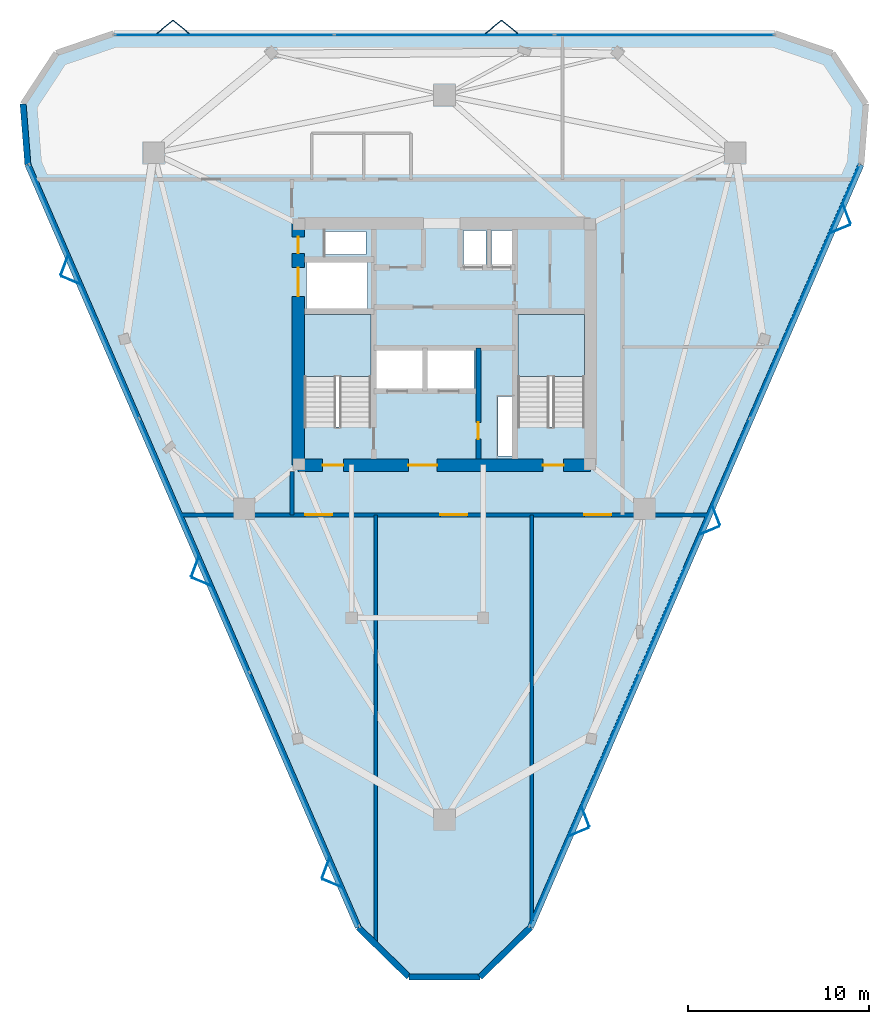
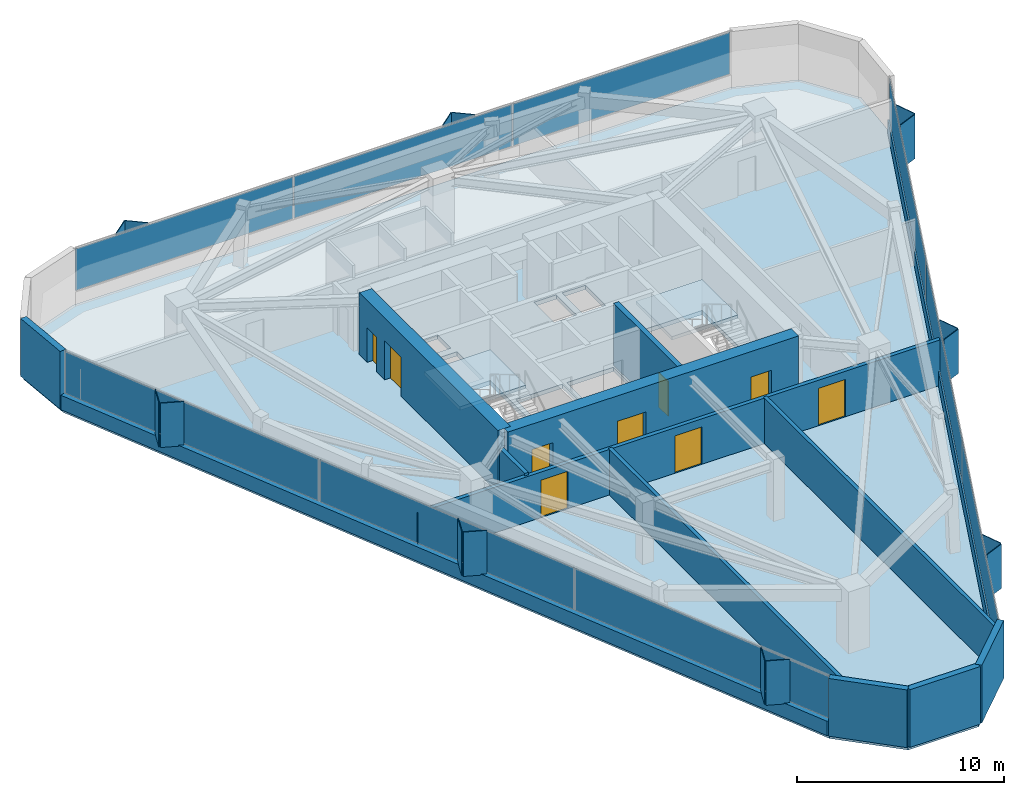
# One storey, part 8 of 12: 25 plates, 13 walls, 9 doors, 3 slabs, 9 openings, 5 elements without a shape of their own.
"""IFC4 building model written with IfcOpenShell, lengths in metres."""

from ifc_helpers import new_model, si_unit, direction, frame, frame_2d, origin, origin_2d, place, context, subcontext, project, spatial, polyline, rectangle, outline, extrude, material, layer, layer_set, type_object, element, fill, aggregate, save


model = new_model("IFC4")

# Units and contexts
model_context = context("Model", 3, precision=1e-05, world=origin(), true_north=direction((0.0, 1.0)))
body_context = subcontext(model_context, "Body", "Model", "MODEL_VIEW")
ifc_project = project(units=[si_unit("LENGTHUNIT", "METRE"), si_unit("AREAUNIT", "SQUARE_METRE"), si_unit("VOLUMEUNIT", "CUBIC_METRE"), si_unit("PLANEANGLEUNIT", "RADIAN"), si_unit("MASSUNIT", "GRAM", prefix="KILO")], contexts=[model_context])

# Site, building, storey
site_placement = place(None, origin())
site = spatial("IfcSite", under=ifc_project, at=site_placement, CompositionType="ELEMENT")
building_placement = place(site_placement, origin())
building = spatial("IfcBuilding", under=site, at=building_placement, Name="Talyreon Biosciences Tower", CompositionType="ELEMENT")
storey_placement = place(building_placement, frame((0.0, 0.0, 246.199951171875)))
storey = spatial("IfcBuildingStorey", under=building, at=storey_placement, Name="L65", CompositionType="ELEMENT", Elevation=246.199951171875)

# Curtain wall, plates
ifc_material_1 = material(Name="Thermally broken aluminium and low-E glazing", Category="aluminium")
ifc_layer_1 = layer(ifc_material_1, 0.175048828125)
ifc_layer_set_1 = layer_set([ifc_layer_1], Name="Thermally broken aluminium and low-E glazing")
curtain_wall_type = type_object("IfcCurtainWallType", Name="CurtainWall_Zone5CompLab", PredefinedType="NOTDEFINED", material=ifc_layer_set_1)
curtain_wall_1_placement = place(storey_placement, origin())
curtain_wall_1 = element("IfcCurtainWall", 1, at=curtain_wall_1_placement, inside=storey, type_object=curtain_wall_type, Name="L65 Unitised Curtain Wall FCW-L65-00", PredefinedType="NOTDEFINED")
ifc_material_2 = material(Name="Triple-silver low-E insulated glazing", Category="glass")
ifc_layer_2 = layer(ifc_material_2, 0.031982421875)
ifc_layer_set_2 = layer_set([ifc_layer_2], Name="Triple-silver low-E insulated glazing")
plate_type_1 = type_object("IfcPlateType", Name="CWGlazingPanel_32", PredefinedType="CURTAIN_PANEL", material=ifc_layer_set_2)
plate_1_placement = place(storey_placement, frame((58.244873046875, 42.7900390625, 0.875), z_axis=(0.0, 0.0, 1.0), x_axis=(-0.397537465198, 0.91758594353, 0.0)))
plate_1 = element("IfcPlate", 2, at=plate_1_placement, type_object=plate_type_1, Name="CW6 panel 1.1", PredefinedType="CURTAIN_PANEL", context=body_context, shape_type="SweptSolid", body=[
    extrude(rectangle(XDim=15.250244140625, YDim=0.031982421875, at=origin_2d()), origin(), (0.0, 0.0, 1.0), 2.4599609375),
])
plate_2_placement = place(storey_placement, frame((52.150146484375, 56.858154296875, 0.875), z_axis=(0.0, 0.0, 1.0), x_axis=(-0.397537465198, 0.91758594353, 0.0)))
plate_2 = element("IfcPlate", 3, at=plate_2_placement, type_object=plate_type_1, Name="CW6 panel 2.1", PredefinedType="CURTAIN_PANEL", context=body_context, shape_type="SweptSolid", body=[
    extrude(rectangle(XDim=15.28271484375, YDim=0.031982421875, at=origin_2d()), origin(), (0.0, 0.0, 1.0), 2.4599609375),
])
plate_3_placement = place(storey_placement, frame((46.05517578125, 70.926025390625, 0.875), z_axis=(0.0, 0.0, 1.0), x_axis=(-0.397537465198, 0.91758594353, 0.0)))
plate_3 = element("IfcPlate", 4, at=plate_3_placement, type_object=plate_type_1, Name="CW6 panel 3.1", PredefinedType="CURTAIN_PANEL", context=body_context, shape_type="SweptSolid", body=[
    extrude(rectangle(XDim=15.250244140625, YDim=0.031982421875, at=origin_2d()), origin(), (0.0, 0.0, 1.0), 2.4599609375),
])
aggregate(curtain_wall_1, [plate_1, plate_2, plate_3])

curtain_wall_2_placement = place(storey_placement, origin())
curtain_wall_2 = element("IfcCurtainWall", 5, at=curtain_wall_2_placement, inside=storey, type_object=curtain_wall_type, Name="L65 Unitised Curtain Wall FCW-L65-04", PredefinedType="NOTDEFINED")
plate_4_placement = place(storey_placement, frame((53.813720703125, 85.1376953125, 0.875), z_axis=(0.0, 0.0, 1.0), x_axis=(1.0, 0.0, 0.0)))
plate_4 = element("IfcPlate", 6, at=plate_4_placement, type_object=plate_type_1, Name="CW6 panel 1.1", PredefinedType="CURTAIN_PANEL", context=body_context, shape_type="SweptSolid", body=[
    extrude(rectangle(XDim=12.10498046875, YDim=0.031982421875, at=origin_2d()), origin(), (0.0, 0.0, 1.0), 2.4599609375),
])
plate_5_placement = place(storey_placement, frame((66.0, 85.1376953125, 0.875), z_axis=(0.0, 0.0, 1.0), x_axis=(1.0, 0.0, 0.0)))
plate_5 = element("IfcPlate", 7, at=plate_5_placement, type_object=plate_type_1, Name="CW6 panel 2.1", PredefinedType="CURTAIN_PANEL", context=body_context, shape_type="SweptSolid", body=[
    extrude(rectangle(XDim=12.137451171875, YDim=0.031982421875, at=origin_2d()), origin(), (0.0, 0.0, 1.0), 2.4599609375),
])
plate_6_placement = place(storey_placement, frame((78.186279296875, 85.1376953125, 0.875), z_axis=(0.0, 0.0, 1.0), x_axis=(1.0, 0.0, 0.0)))
plate_6 = element("IfcPlate", 8, at=plate_6_placement, type_object=plate_type_1, Name="CW6 panel 3.1", PredefinedType="CURTAIN_PANEL", context=body_context, shape_type="SweptSolid", body=[
    extrude(rectangle(XDim=12.10498046875, YDim=0.031982421875, at=origin_2d()), origin(), (0.0, 0.0, 1.0), 2.4599609375),
])
aggregate(curtain_wall_2, [plate_4, plate_5, plate_6])

curtain_wall_3_placement = place(storey_placement, origin())
curtain_wall_3 = element("IfcCurtainWall", 9, at=curtain_wall_3_placement, inside=storey, type_object=curtain_wall_type, Name="L65 Unitised Curtain Wall FCW-L65-08", PredefinedType="NOTDEFINED")
plate_7_placement = place(storey_placement, frame((85.94482421875, 70.926025390625, 0.875), z_axis=(0.0, 0.0, 1.0), x_axis=(-0.397537465198, -0.91758594353, 0.0)))
plate_7 = element("IfcPlate", 10, at=plate_7_placement, type_object=plate_type_1, Name="CW6 panel 1.1", PredefinedType="CURTAIN_PANEL", context=body_context, shape_type="SweptSolid", body=[
    extrude(rectangle(XDim=15.250244140625, YDim=0.031982421875, at=origin_2d()), origin(), (0.0, 0.0, 1.0), 2.4599609375),
])
plate_8_placement = place(storey_placement, frame((79.849853515625, 56.858154296875, 0.875), z_axis=(0.0, 0.0, 1.0), x_axis=(-0.397537465198, -0.91758594353, 0.0)))
plate_8 = element("IfcPlate", 11, at=plate_8_placement, type_object=plate_type_1, Name="CW6 panel 2.1", PredefinedType="CURTAIN_PANEL", context=body_context, shape_type="SweptSolid", body=[
    extrude(rectangle(XDim=15.28271484375, YDim=0.031982421875, at=origin_2d()), origin(), (0.0, 0.0, 1.0), 2.4599609375),
])
plate_9_placement = place(storey_placement, frame((73.755126953125, 42.7900390625, 0.875), z_axis=(0.0, 0.0, 1.0), x_axis=(-0.397537465198, -0.91758594353, 0.0)))
plate_9 = element("IfcPlate", 12, at=plate_9_placement, type_object=plate_type_1, Name="CW6 panel 3.1", PredefinedType="CURTAIN_PANEL", context=body_context, shape_type="SweptSolid", body=[
    extrude(rectangle(XDim=15.250244140625, YDim=0.031982421875, at=origin_2d()), origin(), (0.0, 0.0, 1.0), 2.4599609375),
])
aggregate(curtain_wall_3, [plate_7, plate_8, plate_9])

# Slab
ifc_material_3 = material(Name="Concrete C40/50", Category="concrete")
ifc_layer_3 = layer(ifc_material_3, 0.25)
ifc_layer_set_3 = layer_set([ifc_layer_3], Name="Concrete C40/50")
slab_type_1 = type_object("IfcSlabType", Name="DryLabFloorSlab_250", PredefinedType="FLOOR", material=ifc_layer_set_3)
slab_1_placement = place(storey_placement, frame((0.0, 0.0, -0.25)))
element("IfcSlab", 13, at=slab_1_placement, inside=storey, type_object=slab_type_1, Name="L65 Structural Floor Slab", PredefinedType="FLOOR", context=body_context, shape_type="SweptSolid", body=[
    extrude(outline(polyline([(61.228515625, 35.701904296875), (42.9248046875, 77.95068359375), (42.6591796875, 81.3095703125), (44.508544921875, 84.126220703125), (47.6962890625, 85.2177734375), (84.3037109375, 85.2177734375), (87.491455078125, 84.126220703125), (89.3408203125, 81.3095703125), (89.0751953125, 77.95068359375), (70.771484375, 35.701904296875), (67.964111328125, 32.954345703125), (64.035888671875, 32.954345703125), (61.228515625, 35.701904296875)]), holes=[polyline([(69.820068359375, 65.10009765625), (69.820068359375, 61.800048828125), (68.9599609375, 61.800048828125), (68.9599609375, 65.10009765625), (69.820068359375, 65.10009765625)]), polyline([(61.929931640625, 69.64990234375), (61.929931640625, 63.407958984375), (58.25, 63.407958984375), (58.25, 69.64990234375), (61.929931640625, 69.64990234375)]), polyline([(73.75, 69.64990234375), (73.75, 63.407958984375), (70.070068359375, 63.407958984375), (70.070068359375, 69.64990234375), (73.75, 69.64990234375)]), polyline([(64.800048828125, 67.64990234375), (64.800048828125, 65.550048828125), (62.199951171875, 65.550048828125), (62.199951171875, 67.64990234375), (64.800048828125, 67.64990234375)]), polyline([(67.64990234375, 67.64990234375), (67.64990234375, 65.550048828125), (65.050048828125, 65.550048828125), (65.050048828125, 67.64990234375), (67.64990234375, 67.64990234375)]), polyline([(61.75, 72.550048828125), (61.75, 69.97998046875), (58.35009765625, 69.97998046875), (58.35009765625, 72.550048828125), (61.75, 72.550048828125)]), polyline([(68.300048828125, 74.300048828125), (68.300048828125, 72.35009765625), (67.050048828125, 72.35009765625), (67.050048828125, 74.300048828125), (68.300048828125, 74.300048828125)]), polyline([(69.919921875, 72.35009765625), (68.6201171875, 72.35009765625), (68.6201171875, 74.300048828125), (69.919921875, 74.300048828125), (69.919921875, 72.35009765625)]), polyline([(61.64990234375, 72.9599609375), (59.39990234375, 72.9599609375), (59.39990234375, 74.25), (61.64990234375, 74.25), (61.64990234375, 72.9599609375)])]), origin(), (0.0, 0.0, 1.0), 0.25),
])

# Plates
ifc_material_4 = material(Name="Ivory GFRC sunshade panel", Category="concrete")
ifc_layer_4 = layer(ifc_material_4, 0.044921875)
ifc_layer_set_4 = layer_set([ifc_layer_4], Name="Ivory GFRC sunshade panel")
plate_type_2 = type_object("IfcPlateType", Name="FoldedVSunshade_NorthFace_SUNSHADE", PredefinedType="USERDEFINED", material=ifc_layer_set_4)
for number, where, z_axis, x_axis, name in (
    (14, (50.51611328125, 85.577880859375, 0.7900390625), (0.0, 0.0, 1.0), (0.771624583388, 0.636078220278, 0.0), "L65 Folded V-Sunshade Panel 04.01L"),
    (15, (51.416259765625, 85.577880859375, 0.7900390625), (0.0, 0.0, 1.0), (0.771624583388, -0.636078220278, 0.0), "L65 Folded V-Sunshade Panel 04.01R"),
    (16, (68.71630859375, 85.577880859375, 0.7900390625), (0.0, 0.0, 1.0), (0.771624583388, 0.636078220278, 0.0), "L65 Folded V-Sunshade Panel 04.02L"),
    (17, (69.6162109375, 85.577880859375, 0.7900390625), (0.0, 0.0, 1.0), (0.771624583388, -0.636078220278, 0.0), "L65 Folded V-Sunshade Panel 04.02R"),
):
    element("IfcPlate", number, at=place(storey_placement, frame(where, z_axis=z_axis, x_axis=x_axis)), inside=storey, type_object=plate_type_2, Name=name, ObjectType="SUNSHADE", PredefinedType="USERDEFINED", context=body_context, shape_type="SweptSolid", body=[
        extrude(rectangle(XDim=1.14990234375, YDim=0.044921875, at=origin_2d()), origin(), (0.0, 0.0, 1.0), 2.610107421875),
    ])
ifc_layer_5 = layer(ifc_material_4, 0.044921875)
ifc_layer_set_5 = layer_set([ifc_layer_5], Name="Ivory GFRC sunshade panel")
plate_type_3 = type_object("IfcPlateType", Name="FoldedVSunshade_SunFace_SUNSHADE", PredefinedType="USERDEFINED", material=ifc_layer_set_5)
for number, where, z_axis, x_axis, name in (
    (18, (59.777099609375, 38.146484375, 0.7900390625), (0.0, 0.0, 1.0), (-0.923371109364, 0.383908575566, 0.0), "L65 Folded V-Sunshade Panel 00.01L"),
    (19, (59.41943359375, 38.972412109375, 0.7900390625), (0.0, 0.0, 1.0), (0.351449521848, 0.936206832699, 0.0), "L65 Folded V-Sunshade Panel 00.01R"),
    (20, (52.5419921875, 54.846435546875, 0.7900390625), (0.0, 0.0, 1.0), (-0.923371109364, 0.383908575566, 0.0), "L65 Folded V-Sunshade Panel 00.02L"),
    (21, (52.18408203125, 55.67236328125, 0.7900390625), (0.0, 0.0, 1.0), (0.351449521848, 0.936206832699, 0.0), "L65 Folded V-Sunshade Panel 00.02R"),
    (22, (45.306884765625, 71.546630859375, 0.7900390625), (0.0, 0.0, 1.0), (-0.923371109364, 0.383908575566, 0.0), "L65 Folded V-Sunshade Panel 00.03L"),
    (23, (44.94921875, 72.372314453125, 0.7900390625), (0.0, 0.0, 1.0), (0.351449521848, 0.936206832699, 0.0), "L65 Folded V-Sunshade Panel 00.03R"),
    (24, (88.28466796875, 75.219970703125, 0.7900390625), (0.0, 0.0, 1.0), (0.351449521848, -0.936206832699, 0.0), "L65 Folded V-Sunshade Panel 08.01L"),
    (25, (87.9267578125, 74.39404296875, 0.7900390625), (0.0, 0.0, 1.0), (-0.923371109364, -0.383908575566, 0.0), "L65 Folded V-Sunshade Panel 08.01R"),
    (26, (81.04931640625, 58.519775390625, 0.7900390625), (0.0, 0.0, 1.0), (0.351449521848, -0.936206832699, 0.0), "L65 Folded V-Sunshade Panel 08.02L"),
    (27, (80.691650390625, 57.694091796875, 0.7900390625), (0.0, 0.0, 1.0), (-0.923371109364, -0.383908575566, 0.0), "L65 Folded V-Sunshade Panel 08.02R"),
    (28, (73.814208984375, 41.81982421875, 0.7900390625), (0.0, 0.0, 1.0), (0.351449521848, -0.936206832699, 0.0), "L65 Folded V-Sunshade Panel 08.03L"),
    (29, (73.456298828125, 40.993896484375, 0.7900390625), (0.0, 0.0, 1.0), (-0.923371109364, -0.383908575566, 0.0), "L65 Folded V-Sunshade Panel 08.03R"),
):
    element("IfcPlate", number, at=place(storey_placement, frame(where, z_axis=z_axis, x_axis=x_axis)), inside=storey, type_object=plate_type_3, Name=name, ObjectType="SUNSHADE", PredefinedType="USERDEFINED", context=body_context, shape_type="SweptSolid", body=[
        extrude(rectangle(XDim=1.14990234375, YDim=0.044921875, at=origin_2d()), origin(), (0.0, 0.0, 1.0), 2.610107421875),
    ])

# Stair, slab
stair_type = type_object("IfcStairType", Name="DoglegEscapeStair_3650", PredefinedType="HALF_TURN_STAIR", material=ifc_material_3)
stair_1_placement = place(storey_placement, origin())
stair_1 = element("IfcStair", 30, at=stair_1_placement, inside=storey, type_object=stair_type, Name="L65 Core Escape Stair 1", PredefinedType="HALF_TURN_STAIR")
ifc_layer_6 = layer(ifc_material_3, 0.199951171875)
ifc_layer_set_6 = layer_set([ifc_layer_6], Name="Concrete C40/50")
slab_type_2 = type_object("IfcSlabType", Name="StairLandingSlab_200", PredefinedType="LANDING", material=ifc_layer_set_6)
slab_2_placement = place(storey_placement, frame((0.0, 0.0, 1.625)))
slab_2 = element("IfcSlab", 31, at=slab_2_placement, type_object=slab_type_2, Name="ST-1 landing 1", PredefinedType="LANDING", context=body_context, shape_type="SweptSolid", body=[
    extrude(outline(polyline([(61.929931640625, 66.199951171875), (61.929931640625, 69.64990234375), (58.25, 69.64990234375), (58.25, 66.199951171875), (61.929931640625, 66.199951171875)])), origin(), (0.0, 0.0, 1.0), 0.199951171875),
])
aggregate(stair_1, [slab_2])

stair_2_placement = place(storey_placement, origin())
stair_2 = element("IfcStair", 32, at=stair_2_placement, inside=storey, type_object=stair_type, Name="L65 Core Escape Stair 2", PredefinedType="HALF_TURN_STAIR")
slab_3_placement = place(storey_placement, frame((0.0, 0.0, 1.625)))
slab_3 = element("IfcSlab", 33, at=slab_3_placement, type_object=slab_type_2, Name="ST-2 landing 1", PredefinedType="LANDING", context=body_context, shape_type="SweptSolid", body=[
    extrude(outline(polyline([(73.75, 66.199951171875), (73.75, 69.64990234375), (70.070068359375, 69.64990234375), (70.070068359375, 66.199951171875), (73.75, 66.199951171875)])), origin(), (0.0, 0.0, 1.0), 0.199951171875),
])
aggregate(stair_2, [slab_3])

# Walls
ifc_material_5 = material(Name="Gypsum fireboard acoustic stud", Category="gypsum")
ifc_layer_7 = layer(ifc_material_5, 0.199951171875)
ifc_layer_set_7 = layer_set([ifc_layer_7], Name="Gypsum fireboard acoustic stud")
wall_type_1 = type_object("IfcWallType", Name="ChemControlPartition_200", PredefinedType="PARTITIONING", material=ifc_layer_set_7)
wall_1_placement = place(storey_placement, frame((62.199951171875, 34.8701171875, 0.0), z_axis=(0.0, 0.0, 1.0), x_axis=(0.0, 1.0, 0.0)))
element("IfcWall", 34, at=wall_1_placement, inside=storey, type_object=wall_type_1, Name="L65 Interior Wall IW-L65-SDIV1", PredefinedType="PARTITIONING", context=body_context, shape_type="SweptSolid", body=[
    extrude(rectangle(XDim=23.679931640625, YDim=0.199951171875, at=frame_2d((11.83984375, 0.0))), origin(), (0.0, 0.0, 1.0), 2.679931640625),
])
wall_2_placement = place(storey_placement, frame((70.839111328125, 36.07177734375, 0.0), z_axis=(0.0, 0.0, 1.0), x_axis=(0.0, 1.0, 0.0)))
element("IfcWall", 35, at=wall_2_placement, inside=storey, type_object=wall_type_1, Name="L65 Interior Wall IW-L65-SDIV2", PredefinedType="PARTITIONING", context=body_context, shape_type="SweptSolid", body=[
    extrude(rectangle(XDim=22.478271484375, YDim=0.199951171875, at=frame_2d((11.2392578125, 0.0))), origin(), (0.0, 0.0, 1.0), 2.679931640625),
])

# Wall, opening, door
ifc_material_6 = material(Name="Concrete C50/60", Category="concrete")
ifc_layer_8 = layer(ifc_material_6, 0.280029296875)
ifc_layer_set_8 = layer_set([ifc_layer_8], Name="Concrete C50/60")
wall_type_2 = type_object("IfcWallType", Name="CoreShearWall_280", PredefinedType="SHEAR", material=ifc_layer_set_8)
wall_3_placement = place(storey_placement, frame((67.8798828125, 61.64990234375, 0.0), z_axis=(0.0, 0.0, 1.0), x_axis=(0.0, 1.0, 0.0)))
wall_3 = element("IfcWall", 36, at=wall_3_placement, inside=storey, type_object=wall_type_2, Name="L65 Core Shaft Wall SWFFE", PredefinedType="SHEAR", context=body_context, shape_type="SweptSolid", body=[
    extrude(rectangle(XDim=6.150146484375, YDim=0.280029296875, at=frame_2d((3.0751953125, 0.0))), origin(), (0.0, 0.0, 1.0), 3.650146484375),
])
opening_1_placement = place(wall_3_placement, frame((1.10009765625, 0.0, 0.0)))
opening_1 = element("IfcOpeningElement", 37, at=opening_1_placement, cuts=wall_3, Name="Opening DR-L65-RSE", PredefinedType="OPENING", context=body_context, shape_type="SweptSolid", body=[
    extrude(rectangle(XDim=0.919921875, YDim=2.050048828125, at=frame_2d((0.4599609375, 1.02490234375))), frame((0.0, 0.14990234375, 0.0), z_axis=(0.0, -1.0, 0.0), x_axis=(1.0, 0.0, 0.0)), (0.0, 0.0, 1.0), 0.300048828125),
])
ifc_material_7 = material(Name="Painted steel fire-rated riser door", Category="steel")
door_type_1 = type_object("IfcDoorType", Name="RiserPlantAccessDoor_920x2050", OperationType="NOTDEFINED", PredefinedType="DOOR", material=ifc_material_7)
door_1_placement = place(opening_1_placement, origin())
door_1 = element("IfcDoor", 38, at=door_1_placement, inside=storey, type_object=door_type_1, Name="L65 Core Door DR-L65-RSE", OperationType="SINGLE_SWING_RIGHT", OverallHeight=2.050048828125, OverallWidth=0.919921875, PredefinedType="DOOR", context=body_context, shape_type="SweptSolid", body=[
    extrude(rectangle(XDim=0.919921875, YDim=2.050048828125, at=frame_2d((0.4599609375, 1.02490234375))), frame((0.0, 0.02490234375, 0.0), z_axis=(0.0, -1.0, 0.0), x_axis=(1.0, 0.0, 0.0)), (0.0, 0.0, 1.0), 0.050048828125),
])
fill(opening_1, door_1)

# Wall, openings, doors
ifc_layer_9 = layer(ifc_material_6, 0.699951171875)
ifc_layer_set_9 = layer_set([ifc_layer_9], Name="Concrete C50/60")
wall_type_3 = type_object("IfcWallType", Name="CoreShearWall_700", PredefinedType="SHEAR", material=ifc_layer_set_9)
wall_4_placement = place(storey_placement, frame((57.89990234375, 61.300048828125, 0.0), z_axis=(0.0, 0.0, 1.0), x_axis=(1.0, 0.0, 0.0)))
wall_4 = element("IfcWall", 39, at=wall_4_placement, inside=storey, type_object=wall_type_3, Name="L65 Core Shear Wall S", PredefinedType="SHEAR", context=body_context, shape_type="SweptSolid", body=[
    extrude(rectangle(XDim=16.2001953125, YDim=0.699951171875, at=frame_2d((8.10009765625, 0.0))), origin(), (0.0, 0.0, 1.0), 3.650146484375),
])
opening_2_placement = place(wall_4_placement, frame((1.35009765625, 0.0, 0.0)))
opening_2 = element("IfcOpeningElement", 40, at=opening_2_placement, cuts=wall_4, Name="Opening DR-L65-ST1", PredefinedType="OPENING", context=body_context, shape_type="SweptSolid", body=[
    extrude(rectangle(XDim=1.14990234375, YDim=2.14990234375, at=frame_2d((0.574951171875, 1.074951171875))), frame((0.0, 0.35986328125, 0.0), z_axis=(0.0, -1.0, 0.0), x_axis=(1.0, 0.0, 0.0)), (0.0, 0.0, 1.0), 0.719970703125),
])
opening_3_placement = place(wall_4_placement, frame((6.10009765625, 0.0, 0.0)))
opening_3 = element("IfcOpeningElement", 41, at=opening_3_placement, cuts=wall_4, Name="Opening DR-L65-FFL", PredefinedType="OPENING", context=body_context, shape_type="SweptSolid", body=[
    extrude(rectangle(XDim=1.60009765625, YDim=2.14990234375, at=frame_2d((0.800048828125, 1.074951171875))), frame((0.0, 0.35986328125, 0.0), z_axis=(0.0, -1.0, 0.0), x_axis=(1.0, 0.0, 0.0)), (0.0, 0.0, 1.0), 0.719970703125),
])
opening_4_placement = place(wall_4_placement, frame((13.550048828125, 0.0, 0.0)))
opening_4 = element("IfcOpeningElement", 42, at=opening_4_placement, cuts=wall_4, Name="Opening DR-L65-ST2", PredefinedType="OPENING", context=body_context, shape_type="SweptSolid", body=[
    extrude(rectangle(XDim=1.14990234375, YDim=2.14990234375, at=frame_2d((0.574951171875, 1.074951171875))), frame((0.0, 0.35986328125, 0.0), z_axis=(0.0, -1.0, 0.0), x_axis=(1.0, 0.0, 0.0)), (0.0, 0.0, 1.0), 0.719970703125),
])
ifc_material_8 = material(Name="Painted steel smoke-seal fire door", Category="steel")
door_type_2 = type_object("IfcDoorType", Name="FirefightingLobbyDoubleDoor_1600x2150", OperationType="DOUBLE_DOOR_SINGLE_SWING", PredefinedType="DOOR", material=ifc_material_8)
door_2_placement = place(opening_3_placement, origin())
door_2 = element("IfcDoor", 43, at=door_2_placement, inside=storey, type_object=door_type_2, Name="L65 Core Door DR-L65-FFL", OperationType="DOUBLE_DOOR_SINGLE_SWING", OverallHeight=2.14990234375, OverallWidth=1.60009765625, PredefinedType="DOOR", context=body_context, shape_type="SweptSolid", body=[
    extrude(rectangle(XDim=1.60009765625, YDim=2.14990234375, at=frame_2d((0.800048828125, 1.074951171875))), frame((0.0, 0.02490234375, 0.0), z_axis=(0.0, -1.0, 0.0), x_axis=(1.0, 0.0, 0.0)), (0.0, 0.0, 1.0), 0.050048828125),
])
fill(opening_3, door_2)
ifc_material_9 = material(Name="Painted steel fire door", Category="steel")
door_type_3 = type_object("IfcDoorType", Name="StairShaftFireDoor_1150x2150", OperationType="NOTDEFINED", PredefinedType="DOOR", material=ifc_material_9)
door_3_placement = place(opening_2_placement, origin())
door_3 = element("IfcDoor", 44, at=door_3_placement, inside=storey, type_object=door_type_3, Name="L65 Core Door DR-L65-ST1", OperationType="SINGLE_SWING_LEFT", OverallHeight=2.14990234375, OverallWidth=1.14990234375, PredefinedType="DOOR", context=body_context, shape_type="SweptSolid", body=[
    extrude(rectangle(XDim=1.14990234375, YDim=2.14990234375, at=frame_2d((0.574951171875, 1.074951171875))), frame((0.0, 0.02490234375, 0.0), z_axis=(0.0, -1.0, 0.0), x_axis=(1.0, 0.0, 0.0)), (0.0, 0.0, 1.0), 0.050048828125),
])
fill(opening_2, door_3)
door_4_placement = place(opening_4_placement, origin())
door_4 = element("IfcDoor", 45, at=door_4_placement, inside=storey, type_object=door_type_3, Name="L65 Core Door DR-L65-ST2", OperationType="SINGLE_SWING_RIGHT", OverallHeight=2.14990234375, OverallWidth=1.14990234375, PredefinedType="DOOR", context=body_context, shape_type="SweptSolid", body=[
    extrude(rectangle(XDim=1.14990234375, YDim=2.14990234375, at=frame_2d((0.574951171875, 1.074951171875))), frame((0.0, 0.02490234375, 0.0), z_axis=(0.0, -1.0, 0.0), x_axis=(1.0, 0.0, 0.0)), (0.0, 0.0, 1.0), 0.050048828125),
])
fill(opening_4, door_4)

wall_5_placement = place(storey_placement, frame((57.89990234375, 74.699951171875, 0.0), z_axis=(0.0, 0.0, 1.0), x_axis=(0.0, -1.0, 0.0)))
wall_5 = element("IfcWall", 46, at=wall_5_placement, inside=storey, type_object=wall_type_3, Name="L65 Core Shear Wall W", PredefinedType="SHEAR", context=body_context, shape_type="SweptSolid", body=[
    extrude(rectangle(XDim=13.39990234375, YDim=0.699951171875, at=frame_2d((6.699951171875, 0.0))), origin(), (0.0, 0.0, 1.0), 3.650146484375),
])
opening_5_placement = place(wall_5_placement, frame((0.75, 0.0, 0.0)))
opening_5 = element("IfcOpeningElement", 47, at=opening_5_placement, cuts=wall_5, Name="Opening DR-L65-RSW", PredefinedType="OPENING", context=body_context, shape_type="SweptSolid", body=[
    extrude(rectangle(XDim=0.919921875, YDim=2.050048828125, at=frame_2d((0.4599609375, 1.02490234375))), frame((0.0, 0.35986328125, 0.0), z_axis=(0.0, -1.0, 0.0), x_axis=(1.0, 0.0, 0.0)), (0.0, 0.0, 1.0), 0.719970703125),
])
opening_6_placement = place(wall_5_placement, frame((2.449951171875, 0.0, 0.0)))
opening_6 = element("IfcOpeningElement", 48, at=opening_6_placement, cuts=wall_5, Name="Opening LD-L65-GL1", PredefinedType="OPENING", context=body_context, shape_type="SweptSolid", body=[
    extrude(rectangle(XDim=1.60009765625, YDim=2.300048828125, at=frame_2d((0.800048828125, 1.14990234375))), frame((0.0, 0.35986328125, 0.0), z_axis=(0.0, -1.0, 0.0), x_axis=(1.0, 0.0, 0.0)), (0.0, 0.0, 1.0), 0.719970703125),
])
ifc_material_10 = material(Name="Heavy-duty stainless-steel goods lift door", Category="steel")
door_type_4 = type_object("IfcDoorType", Name="GoodsLiftSlidingDoor_1600x2300", OperationType="DOUBLE_DOOR_SLIDING", PredefinedType="DOOR", material=ifc_material_10)
door_5_placement = place(opening_6_placement, origin())
door_5 = element("IfcDoor", 49, at=door_5_placement, inside=storey, type_object=door_type_4, Name="L65 Core Door LD-L65-GL1", OperationType="DOUBLE_DOOR_SLIDING", OverallHeight=2.300048828125, OverallWidth=1.60009765625, PredefinedType="DOOR", context=body_context, shape_type="SweptSolid", body=[
    extrude(rectangle(XDim=1.60009765625, YDim=2.300048828125, at=frame_2d((0.800048828125, 1.14990234375))), frame((0.0, 0.02490234375, 0.0), z_axis=(0.0, -1.0, 0.0), x_axis=(1.0, 0.0, 0.0)), (0.0, 0.0, 1.0), 0.050048828125),
])
fill(opening_6, door_5)
door_6_placement = place(opening_5_placement, origin())
door_6 = element("IfcDoor", 50, at=door_6_placement, inside=storey, type_object=door_type_1, Name="L65 Core Door DR-L65-RSW", OperationType="SINGLE_SWING_LEFT", OverallHeight=2.050048828125, OverallWidth=0.919921875, PredefinedType="DOOR", context=body_context, shape_type="SweptSolid", body=[
    extrude(rectangle(XDim=0.919921875, YDim=2.050048828125, at=frame_2d((0.4599609375, 1.02490234375))), frame((0.0, 0.02490234375, 0.0), z_axis=(0.0, -1.0, 0.0), x_axis=(1.0, 0.0, 0.0)), (0.0, 0.0, 1.0), 0.050048828125),
])
fill(opening_5, door_6)

ifc_layer_10 = layer(ifc_material_5, 0.219970703125)
ifc_layer_set_10 = layer_set([ifc_layer_10], Name="Gypsum fireboard acoustic stud")
wall_type_4 = type_object("IfcWallType", Name="CorridorRatedPartition_220", PredefinedType="PARTITIONING", material=ifc_layer_set_10)
wall_6_placement = place(storey_placement, frame((51.422607421875, 58.550048828125, 0.0), z_axis=(0.0, 0.0, 1.0), x_axis=(1.0, 0.0, 0.0)))
wall_6 = element("IfcWall", 51, at=wall_6_placement, inside=storey, type_object=wall_type_4, Name="L65 Interior Wall IW-L65-COR-S", PredefinedType="PARTITIONING", context=body_context, shape_type="SweptSolid", body=[
    extrude(rectangle(XDim=29.15478515625, YDim=0.219970703125, at=frame_2d((14.577392578125, 0.0))), origin(), (0.0, 0.0, 1.0), 2.679931640625),
])
opening_7_placement = place(wall_6_placement, frame((6.861083984375, 0.0, 0.0)))
opening_7 = element("IfcOpeningElement", 52, at=opening_7_placement, cuts=wall_6, Name="Opening DR-L65-S1A", PredefinedType="OPENING", context=body_context, shape_type="SweptSolid", body=[
    extrude(rectangle(XDim=1.5, YDim=2.199951171875, at=frame_2d((0.75, 1.10009765625))), frame((0.0, 0.119873046875, 0.0), z_axis=(0.0, -1.0, 0.0), x_axis=(1.0, 0.0, 0.0)), (0.0, 0.0, 1.0), 0.239990234375),
])
opening_8_placement = place(wall_6_placement, frame((14.346923828125, 0.0, 0.0)))
opening_8 = element("IfcOpeningElement", 53, at=opening_8_placement, cuts=wall_6, Name="Opening DR-L65-S2A", PredefinedType="OPENING", context=body_context, shape_type="SweptSolid", body=[
    extrude(rectangle(XDim=1.5, YDim=2.199951171875, at=frame_2d((0.75, 1.10009765625))), frame((0.0, 0.119873046875, 0.0), z_axis=(0.0, -1.0, 0.0), x_axis=(1.0, 0.0, 0.0)), (0.0, 0.0, 1.0), 0.239990234375),
])
opening_9_placement = place(wall_6_placement, frame((22.327880859375, 0.0, 0.0)))
opening_9 = element("IfcOpeningElement", 54, at=opening_9_placement, cuts=wall_6, Name="Opening DR-L65-S3A", PredefinedType="OPENING", context=body_context, shape_type="SweptSolid", body=[
    extrude(rectangle(XDim=1.5, YDim=2.199951171875, at=frame_2d((0.75, 1.10009765625))), frame((0.0, 0.119873046875, 0.0), z_axis=(0.0, -1.0, 0.0), x_axis=(1.0, 0.0, 0.0)), (0.0, 0.0, 1.0), 0.239990234375),
])
ifc_material_11 = material(Name="Vision-panel steel laboratory fire door", Category="steel")
door_type_5 = type_object("IfcDoorType", Name="WetLabDoubleLeafDoor_1500x2200", OperationType="DOUBLE_DOOR_SINGLE_SWING", PredefinedType="DOOR", material=ifc_material_11)
door_7_placement = place(opening_7_placement, origin())
door_7 = element("IfcDoor", 55, at=door_7_placement, inside=storey, type_object=door_type_5, Name="L65 Interior Door DR-L65-S1A", OperationType="DOUBLE_DOOR_SINGLE_SWING", OverallHeight=2.199951171875, OverallWidth=1.5, PredefinedType="DOOR", context=body_context, shape_type="SweptSolid", body=[
    extrude(rectangle(XDim=1.5, YDim=2.199951171875, at=frame_2d((0.75, 1.10009765625))), frame((0.0, 0.02490234375, 0.0), z_axis=(0.0, -1.0, 0.0), x_axis=(1.0, 0.0, 0.0)), (0.0, 0.0, 1.0), 0.050048828125),
])
fill(opening_7, door_7)
door_8_placement = place(opening_8_placement, origin())
door_8 = element("IfcDoor", 56, at=door_8_placement, inside=storey, type_object=door_type_5, Name="L65 Interior Door DR-L65-S2A", OperationType="DOUBLE_DOOR_SINGLE_SWING", OverallHeight=2.199951171875, OverallWidth=1.5, PredefinedType="DOOR", context=body_context, shape_type="SweptSolid", body=[
    extrude(rectangle(XDim=1.5, YDim=2.199951171875, at=frame_2d((0.75, 1.10009765625))), frame((0.0, 0.02490234375, 0.0), z_axis=(0.0, -1.0, 0.0), x_axis=(1.0, 0.0, 0.0)), (0.0, 0.0, 1.0), 0.050048828125),
])
fill(opening_8, door_8)
door_9_placement = place(opening_9_placement, origin())
door_9 = element("IfcDoor", 57, at=door_9_placement, inside=storey, type_object=door_type_5, Name="L65 Interior Door DR-L65-S3A", OperationType="DOUBLE_DOOR_SINGLE_SWING", OverallHeight=2.199951171875, OverallWidth=1.5, PredefinedType="DOOR", context=body_context, shape_type="SweptSolid", body=[
    extrude(rectangle(XDim=1.5, YDim=2.199951171875, at=frame_2d((0.75, 1.10009765625))), frame((0.0, 0.02490234375, 0.0), z_axis=(0.0, -1.0, 0.0), x_axis=(1.0, 0.0, 0.0)), (0.0, 0.0, 1.0), 0.050048828125),
])
fill(opening_9, door_9)

# Walls
wall_7_placement = place(storey_placement, frame((57.550048828125, 58.550048828125, 0.0), z_axis=(0.0, 0.0, 1.0), x_axis=(0.0, 1.0, 0.0)))
element("IfcWall", 58, at=wall_7_placement, inside=storey, type_object=wall_type_4, Name="L65 Interior Wall IW-L65-WCAP-S", PredefinedType="PARTITIONING", context=body_context, shape_type="SweptSolid", body=[
    extrude(rectangle(XDim=2.39990234375, YDim=0.219970703125, at=frame_2d((1.199951171875, 0.0))), origin(), (0.0, 0.0, 1.0), 2.830078125),
])
ifc_material_12 = material(Name="Precast concrete C45/55", Category="concrete")
ifc_layer_11 = layer(ifc_material_12, 0.340087890625)
ifc_layer_set_11 = layer_set([ifc_layer_11], Name="Precast concrete C45/55")
wall_type_5 = type_object("IfcWallType", Name="PrecastConcreteSpandrelWall_340", PredefinedType="STANDARD", material=ifc_layer_set_11)
wall_8_placement = place(storey_placement, frame((61.228515625, 35.701904296875, 0.0), z_axis=(0.0, 0.0, 1.0), x_axis=(-0.397532587454, 0.917588056762, 0.0)))
element("IfcWall", 59, at=wall_8_placement, inside=storey, type_object=wall_type_5, Name="L65 Expressed Concrete Sill Wall 00", PredefinedType="STANDARD", context=body_context, shape_type="SweptSolid", body=[
    extrude(rectangle(XDim=46.043212890625, YDim=0.340087890625, at=frame_2d((23.021484375, 0.0))), origin(), (0.0, 0.0, 1.0), 0.85009765625),
])
wall_9_placement = place(storey_placement, frame((42.9248046875, 77.95068359375, 0.0), z_axis=(0.0, 0.0, 1.0), x_axis=(-0.078835134627, 0.996887667467, 0.0)))
element("IfcWall", 60, at=wall_9_placement, inside=storey, type_object=wall_type_5, Name="L65 Rounded-Corner Concrete Pier 01", PredefinedType="STANDARD", context=body_context, shape_type="SweptSolid", body=[
    extrude(rectangle(XDim=3.369384765625, YDim=0.340087890625, at=frame_2d((1.6845703125, 0.0))), origin(), (0.0, 0.0, 1.0), 3.400146484375),
])
wall_10_placement = place(storey_placement, frame((89.0751953125, 77.95068359375, 0.0), z_axis=(0.0, 0.0, 1.0), x_axis=(-0.397532587454, -0.917588056762, 0.0)))
element("IfcWall", 61, at=wall_10_placement, inside=storey, type_object=wall_type_5, Name="L65 Expressed Concrete Sill Wall 08", PredefinedType="STANDARD", context=body_context, shape_type="SweptSolid", body=[
    extrude(rectangle(XDim=46.043212890625, YDim=0.340087890625, at=frame_2d((23.021484375, 0.0))), origin(), (0.0, 0.0, 1.0), 0.85009765625),
])
for number, where, z_axis, x_axis, name in (
    (62, (70.771484375, 35.701904296875, 0.0), (0.0, 0.0, 1.0), (-0.714679342433, -0.699452241042, 0.0), "L65 Rounded-Corner Concrete Pier 09"),
    (63, (67.964111328125, 32.954345703125, 0.0), (0.0, 0.0, 1.0), (-1.0, 0.0, 0.0), "L65 Rounded-Corner Concrete Pier 10"),
    (64, (64.035888671875, 32.954345703125, 0.0), (0.0, 0.0, 1.0), (-0.714679342433, 0.699452241042, 0.0), "L65 Rounded-Corner Concrete Pier 11"),
):
    element("IfcWall", number, at=place(storey_placement, frame(where, z_axis=z_axis, x_axis=x_axis)), inside=storey, type_object=wall_type_5, Name=name, PredefinedType="STANDARD", context=body_context, shape_type="SweptSolid", body=[
        extrude(rectangle(XDim=3.92822265625, YDim=0.340087890625, at=frame_2d((1.964111328125, 0.0))), origin(), (0.0, 0.0, 1.0), 3.400146484375),
    ])

save(model, "model.ifc")
